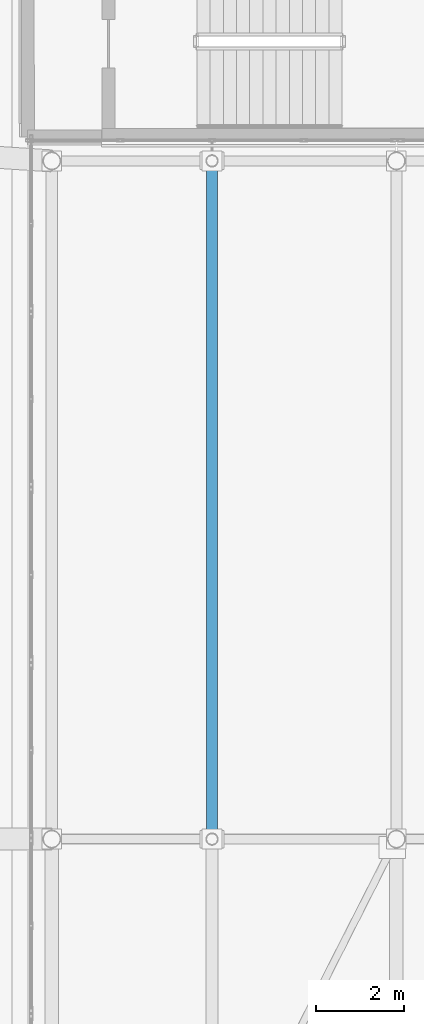
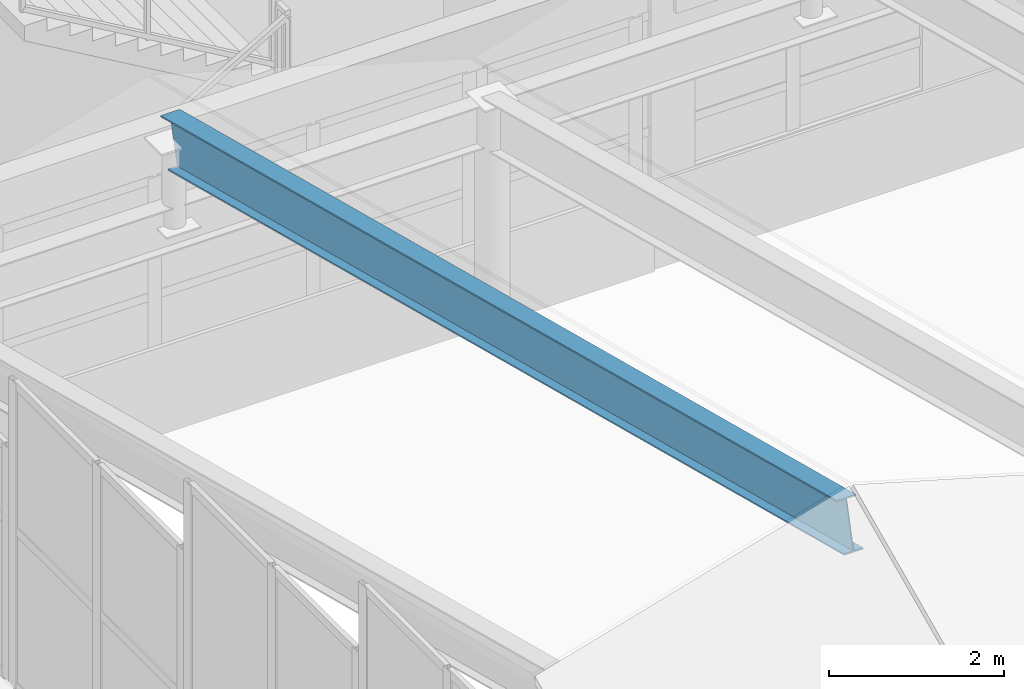
# One storey, part 74 of 184: 1 beam.
"""IFC4 building model written with IfcOpenShell, lengths in metres."""

import ifcopenshell
import ifcopenshell.guid

model = None  # the IFC model being written
_history = None  # IfcOwnerHistory: only IFC2X3 demands one
_inside = {}  # id of a spatial element -> (the spatial element, [elements in it])
_under = {}  # id of a project, library or spatial element -> (it, [spatial elements below it])
_declared = {}  # id of a project -> (the project, [libraries it declares])
_typed = {}  # id of a type object -> (the type object, [elements of that type])
_made_of = {}  # id of a material, layer set ... -> (it, [elements and type objects made of it])


def new_model(schema):
    """Start an empty IFC model of exactly this schema.

    Asked for "IFC4X3", IfcOpenShell would pick the latest addendum, in which some entities
    have other attributes; the version numbers below select the first issue.
    IFC2X3 requires an IfcOwnerHistory on every rooted entity: one is made here for all.
    """
    global model, _history
    if schema == "IFC4X3":
        model = ifcopenshell.file(schema_version=(4, 3, 0, 0))
    else:
        model = ifcopenshell.file(schema=schema)
    _inside.clear()
    _under.clear()
    _declared.clear()
    _typed.clear()
    _made_of.clear()
    _history = None
    if model.schema == "IFC2X3":
        org = make("IfcOrganization", Name="unknown")
        user = make(
            "IfcPersonAndOrganization",
            ThePerson=make("IfcPerson", FamilyName="unknown"),
            TheOrganization=org,
        )
        app = make(
            "IfcApplication",
            ApplicationDeveloper=org,
            Version="unknown",
            ApplicationFullName="unknown",
            ApplicationIdentifier="unknown",
        )
        _history = make(
            "IfcOwnerHistory",
            OwningUser=user,
            OwningApplication=app,
            ChangeAction="ADDED",
            CreationDate=0,
        )
    return model


def make(cls, **values):
    """One entity of the class cls with the attributes given. An attribute that is None is left unset."""
    return model.create_entity(
        cls, **{name: value for name, value in values.items() if value is not None}
    )


def rooted(cls, **values):
    """An entity with a GlobalId (a new one), such as an element, a storey or a relation."""
    return make(cls, GlobalId=ifcopenshell.guid.new(), OwnerHistory=_history, **values)


def si_unit(unit_type, name, prefix=None):
    """IfcSIUnit, for example si_unit("LENGTHUNIT", "METRE", prefix="MILLI")."""
    return make("IfcSIUnit", UnitType=unit_type, Prefix=prefix, Name=name)


def assignment(units):
    """IfcUnitAssignment: the units of a project."""
    return None if units is None else make("IfcUnitAssignment", Units=units)


def point(xyz):
    """IfcCartesianPoint."""
    return None if xyz is None else make("IfcCartesianPoint", Coordinates=xyz)


def direction(xyz):
    """IfcDirection."""
    return None if xyz is None else make("IfcDirection", DirectionRatios=xyz)


def frame(location, z_axis=None, x_axis=None):
    """IfcAxis2Placement3D, a coordinate frame: its origin and axes. An axis left out is left unset."""
    return make(
        "IfcAxis2Placement3D",
        Location=point(location),
        Axis=direction(z_axis),
        RefDirection=direction(x_axis),
    )


def frame_2d(location, x_axis=None):
    """IfcAxis2Placement2D, a coordinate frame in the plane: its origin and x axis."""
    return make(
        "IfcAxis2Placement2D", Location=point(location), RefDirection=direction(x_axis)
    )


def origin():
    """The frame at (0, 0, 0) with its axes left unset."""
    return frame((0.0, 0.0, 0.0))


def origin_2d():
    """The frame at (0, 0) in the plane with its x axis left unset."""
    return frame_2d((0.0, 0.0))


def place(relative_to, where):
    """IfcLocalPlacement: puts the frame where relative to a parent placement (None: the world)."""
    return make(
        "IfcLocalPlacement", PlacementRelTo=relative_to, RelativePlacement=where
    )


def context(
    kind, dimensions, precision=None, world=None, true_north=None, identifier=None
):
    """IfcGeometricRepresentationContext, for example the 3D "Model" context."""
    return make(
        "IfcGeometricRepresentationContext",
        ContextIdentifier=identifier,
        ContextType=kind,
        CoordinateSpaceDimension=dimensions,
        Precision=precision,
        WorldCoordinateSystem=world,
        TrueNorth=true_north,
    )


def subcontext(parent, identifier, kind, view, scale=None):
    """IfcGeometricRepresentationSubContext, for example "Body" below "Model"."""
    return make(
        "IfcGeometricRepresentationSubContext",
        ContextIdentifier=identifier,
        ContextType=kind,
        ParentContext=parent,
        TargetScale=scale,
        TargetView=view,
    )


def project(units=None, contexts=None):
    """IfcProject with its units and contexts."""
    return rooted(
        "IfcProject",
        Name="project",
        RepresentationContexts=contexts,
        UnitsInContext=assignment(units),
    )


def spatial(cls, under=None, at=None, **own):
    """A site, building, storey or space (cls), placed at a placement, below another one or the project."""
    s = rooted(cls, ObjectPlacement=at, **own)
    if under is not None:
        _under.setdefault(under.id(), (under, []))[1].append(s)
    return s


def profile(cls, at=None, kind="AREA", **sizes):
    """A parametric profile (cls). Its sizes go by their IFC names, for example OverallWidth=200.0."""
    return make(cls, ProfileType=kind, Position=at, **sizes)


def i_section(**sizes):
    """IfcIShapeProfileDef."""
    return profile("IfcIShapeProfileDef", **sizes)


def extrude(swept, where, along, depth):
    """IfcExtrudedAreaSolid: the profile swept, set in the frame where, extruded along a direction by depth."""
    return make(
        "IfcExtrudedAreaSolid",
        SweptArea=swept,
        Position=where,
        ExtrudedDirection=direction(along),
        Depth=depth,
    )


def shape(context_of_items, identifier, shape_type, items):
    """IfcShapeRepresentation: the items that make up one representation, for example the "Body"."""
    return make(
        "IfcShapeRepresentation",
        ContextOfItems=context_of_items,
        RepresentationIdentifier=identifier,
        RepresentationType=shape_type,
        Items=items,
    )


def material(Name=None, Category=None):
    """IfcMaterial."""
    return make("IfcMaterial", Name=Name, Category=Category)


def material_profile(
    of_material, cross_section, Name=None, Category=None, Priority=None
):
    """IfcMaterialProfile: a cross section and its material."""
    return make(
        "IfcMaterialProfile",
        Name=Name,
        Material=of_material,
        Profile=cross_section,
        Priority=Priority,
        Category=Category,
    )


def profile_set(profiles, Name=None, composite=None):
    """IfcMaterialProfileSet."""
    return make(
        "IfcMaterialProfileSet",
        Name=Name,
        MaterialProfiles=profiles,
        CompositeProfile=composite,
    )


def made_of(thing, what):
    """Note that an element or type object is made of a material, layer set ...; save() writes the relation."""
    if what is not None:
        _made_of.setdefault(what.id(), (what, []))[1].append(thing)
    return thing


def type_object(cls, material=None, **own):
    """A type object (cls), such as IfcWallType, which elements share."""
    return made_of(rooted(cls, **own), material)


def element(
    cls,
    number,
    at=None,
    inside=None,
    cuts=None,
    type_object=None,
    material=None,
    context=None,
    identifier="Body",
    shape_type=None,
    held_by="IfcProductDefinitionShape",
    body=None,
    shapes=None,
    **own,
):
    """One element of the class cls, such as IfcWall. Its Tag is "e" and its number.

    at: its placement. inside: the storey or other place that contains it. cuts: it is an
    opening in that element (IfcRelVoidsElement). A single representation is given by context,
    identifier, shape_type and body (its items); several are given by shapes. held_by: the class
    of the entity that holds the representations. save() writes the other relations.
    """
    e = rooted(cls, Tag="e%d" % number, ObjectPlacement=at, **own)
    if body is not None:
        shapes = [shape(context, identifier, shape_type, body)]
    if shapes is not None:
        e.Representation = make(held_by, Representations=shapes)
    if inside is not None:
        _inside.setdefault(inside.id(), (inside, []))[1].append(e)
    if cuts is not None:
        rooted(
            "IfcRelVoidsElement", RelatingBuildingElement=cuts, RelatedOpeningElement=e
        )
    if type_object is not None:
        _typed.setdefault(type_object.id(), (type_object, []))[1].append(e)
    return made_of(e, material)


def aggregate(whole, parts):
    """IfcRelAggregates: a whole, such as a stair, and the parts it consists of."""
    return rooted("IfcRelAggregates", RelatingObject=whole, RelatedObjects=parts)


def save(model, path):
    """Write the relations noted so far, then the file.

    IfcRelAggregates (storeys below a building ...), IfcRelContainedInSpatialStructure (elements
    in a storey), IfcRelDefinesByType, IfcRelAssociatesMaterial and IfcRelDeclares: one each for
    every whole, place, type object, material and project.
    """
    for whole, parts in _under.values():
        aggregate(whole, parts)
    for where, things in _inside.values():
        rooted(
            "IfcRelContainedInSpatialStructure",
            RelatedElements=things,
            RelatingStructure=where,
        )
    for kind, things in _typed.values():
        rooted("IfcRelDefinesByType", RelatedObjects=things, RelatingType=kind)
    for what, things in _made_of.values():
        rooted("IfcRelAssociatesMaterial", RelatedObjects=things, RelatingMaterial=what)
    for by, libraries in _declared.values():
        rooted("IfcRelDeclares", RelatingContext=by, RelatedDefinitions=libraries)
    model.write(path)


model = new_model("IFC4")

# Units and contexts
model_context = context("Model", 3, precision=1e-05, world=origin(), true_north=direction((0.0, 1.0)))
body_context = subcontext(model_context, "Body", "Model", "MODEL_VIEW")
ifc_project = project(units=[si_unit("LENGTHUNIT", "METRE"), si_unit("AREAUNIT", "SQUARE_METRE"), si_unit("VOLUMEUNIT", "CUBIC_METRE"), si_unit("PLANEANGLEUNIT", "RADIAN"), si_unit("MASSUNIT", "GRAM", prefix="KILO")], contexts=[model_context])

# Site, building, storey
site_placement = place(None, origin())
site = spatial("IfcSite", under=ifc_project, at=site_placement, CompositionType="ELEMENT")
building_placement = place(site_placement, origin())
building = spatial("IfcBuilding", under=site, at=building_placement, Name="Selatvlak General Hospital", CompositionType="ELEMENT")
storey_placement = place(building_placement, frame((0.0, 0.0, 15.0)))
storey = spatial("IfcBuildingStorey", under=building, at=storey_placement, Name="L03", CompositionType="ELEMENT", Elevation=15.0)

# Beam
ifc_material = material(Name="Steel S355", Category="steel")
ifc_material_profile = material_profile(ifc_material, i_section(OverallWidth=0.253662109375, OverallDepth=0.68359375, WebThickness=0.012451171875, FlangeThickness=0.01904296875, at=origin_2d()), Name="UB 686x254x140")
ifc_profile_set = profile_set([ifc_material_profile], Name="Steel S355")
beam_type = type_object("IfcBeamType", Name="BM-RF3", PredefinedType="BEAM", material=ifc_profile_set)
beam_placement = place(storey_placement, frame((27.0, 68.0, 8.032958984375), z_axis=(0.0, 0.968081216491, -0.250636705766), x_axis=(-1.0, 0.0, 0.0)))
element("IfcBeam", 1, at=beam_placement, inside=storey, type_object=beam_type, Name="Folded roof north rafter 2", PredefinedType="BEAM", context=body_context, shape_type="SweptSolid", body=[
    extrude(i_section(OverallWidth=0.253662109375, OverallDepth=0.68359375, WebThickness=0.012451171875, FlangeThickness=0.01904296875, at=origin_2d()), origin(), (0.0, 0.0, 1.0), 15.95947265625),
])

save(model, "model.ifc")
